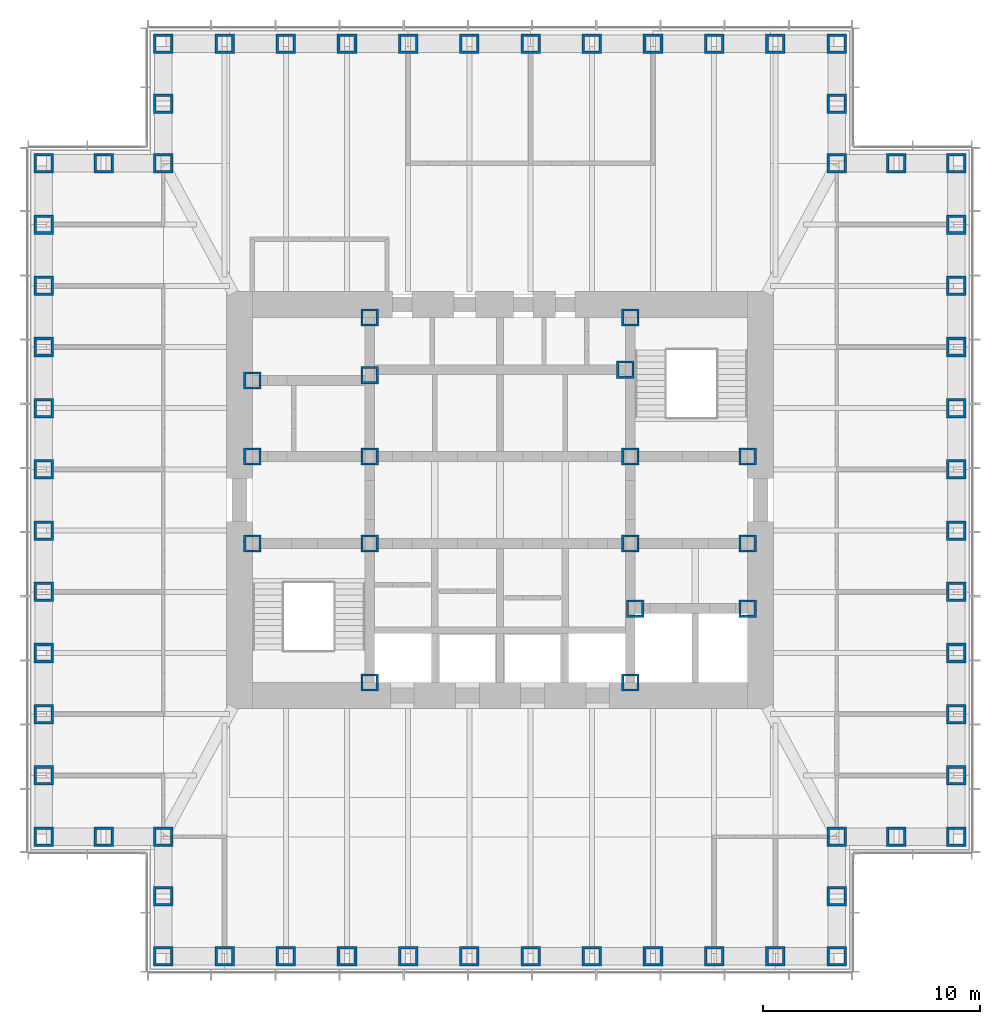
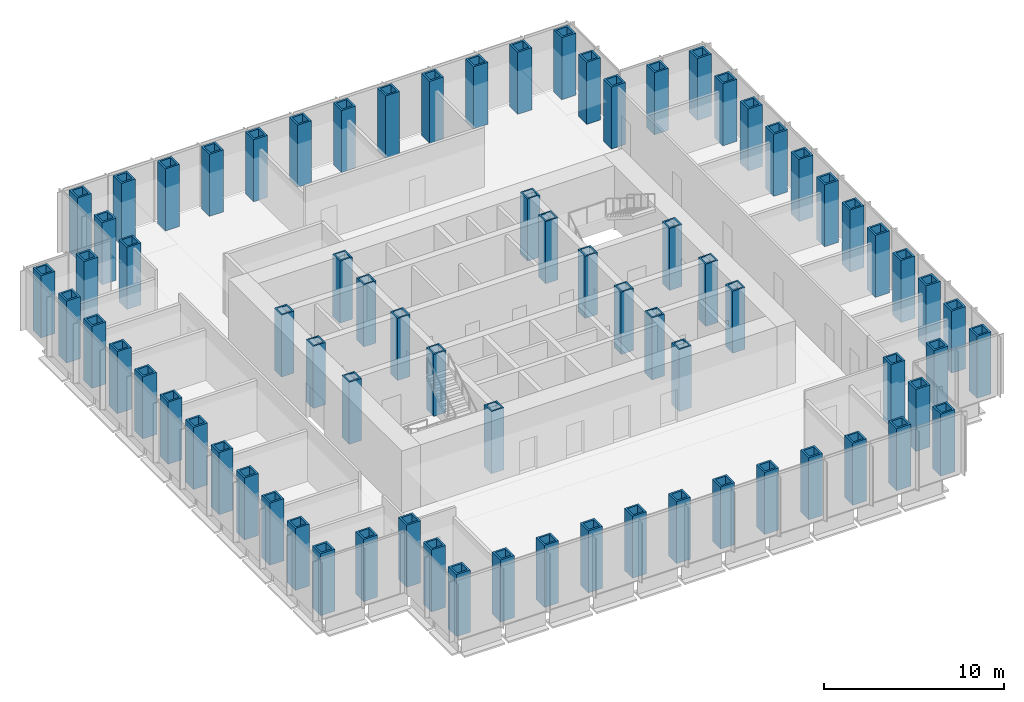
# One storey, part 1 of 17: 77 columns.
"""IFC4 building model written with IfcOpenShell, lengths in metres."""

from ifc_helpers import new_model, si_unit, direction, frame, origin, origin_2d, place, context, subcontext, project, spatial, hollow_rectangle, extrude, material, material_profile, profile_set, type_object, element, save


model = new_model("IFC4")

# Units and contexts
model_context = context("Model", 3, precision=1e-05, world=origin(), true_north=direction((0.0, 1.0)))
body_context = subcontext(model_context, "Body", "Model", "MODEL_VIEW")
ifc_project = project(units=[si_unit("LENGTHUNIT", "METRE"), si_unit("AREAUNIT", "SQUARE_METRE"), si_unit("VOLUMEUNIT", "CUBIC_METRE"), si_unit("PLANEANGLEUNIT", "RADIAN"), si_unit("MASSUNIT", "GRAM", prefix="KILO")], contexts=[model_context])

# Site, building, storey
site_placement = place(None, origin())
site = spatial("IfcSite", under=ifc_project, at=site_placement, CompositionType="ELEMENT")
building_placement = place(site_placement, origin())
building = spatial("IfcBuilding", under=site, at=building_placement, Name="Daluyong Arena Tower", CompositionType="ELEMENT")
storey_placement = place(building_placement, frame((0.0, 0.0, 193.89990234375)))
storey = spatial("IfcBuildingStorey", under=building, at=storey_placement, Name="L43", CompositionType="ELEMENT", Elevation=193.89990234375)

# Columns
ifc_material_1 = material(Name="Steel ASTM A572 Grade 50", Category="steel")
ifc_material_profile_1 = material_profile(ifc_material_1, hollow_rectangle(XDim=0.800048828125, YDim=0.800048828125, WallThickness=0.1, at=origin_2d()))
ifc_profile_set_1 = profile_set([ifc_material_profile_1], Name="Steel ASTM A572 Grade 50")
column_type_1 = type_object("IfcColumnType", Name="Core boundary column BX800X100", PredefinedType="COLUMN", material=ifc_profile_set_1)
for number, where, z_axis, x_axis, name in (
    (1, (44.60009765625, 78.0, 0.0), (0.0, 0.0, 1.0), (1.0, 0.0, 0.0), "core boundary column BC2"),
    (2, (44.60009765625, 82.0, 0.0), (0.0, 0.0, 1.0), (1.0, 0.0, 0.0), "core boundary column BC2"),
    (3, (44.60009765625, 85.5, 0.0), (0.0, 0.0, 1.0), (1.0, 0.0, 0.0), "core boundary column BC2"),
    (4, (50.0, 71.60009765625, 0.0), (0.0, 0.0, 1.0), (1.0, 0.0, 0.0), "core boundary column BC2"),
    (5, (50.0, 78.0, 0.0), (0.0, 0.0, 1.0), (1.0, 0.0, 0.0), "core boundary column BC2"),
    (6, (50.0, 82.0, 0.0), (0.0, 0.0, 1.0), (1.0, 0.0, 0.0), "core boundary column BC2"),
    (7, (50.0, 85.75, 0.0), (0.0, 0.0, 1.0), (1.0, 0.0, 0.0), "core boundary column BC2"),
    (8, (50.0, 88.39990234375, 0.0), (0.0, 0.0, 1.0), (1.0, 0.0, 0.0), "core boundary column BC2"),
    (9, (61.77490234375, 86.0, 0.0), (0.0, 0.0, 1.0), (1.0, 0.0, 0.0), "core boundary column BC2"),
    (10, (62.0, 71.60009765625, 0.0), (0.0, 0.0, 1.0), (1.0, 0.0, 0.0), "core boundary column BC2"),
    (11, (62.0, 78.0, 0.0), (0.0, 0.0, 1.0), (1.0, 0.0, 0.0), "core boundary column BC2"),
    (12, (62.0, 82.0, 0.0), (0.0, 0.0, 1.0), (1.0, 0.0, 0.0), "core boundary column BC2"),
    (13, (62.0, 88.39990234375, 0.0), (0.0, 0.0, 1.0), (1.0, 0.0, 0.0), "core boundary column BC2"),
    (14, (62.22509765625, 75.0, 0.0), (0.0, 0.0, 1.0), (1.0, 0.0, 0.0), "core boundary column BC2"),
    (15, (67.39990234375, 75.0, 0.0), (0.0, 0.0, 1.0), (1.0, 0.0, 0.0), "core boundary column BC2"),
    (16, (67.39990234375, 78.0, 0.0), (0.0, 0.0, 1.0), (1.0, 0.0, 0.0), "core boundary column BC2"),
    (17, (67.39990234375, 82.0, 0.0), (0.0, 0.0, 1.0), (1.0, 0.0, 0.0), "core boundary column BC2"),
):
    element("IfcColumn", number, at=place(storey_placement, frame(where, z_axis=z_axis, x_axis=x_axis)), inside=storey, type_object=column_type_1, Name=name, PredefinedType="COLUMN", context=body_context, shape_type="SweptSolid", body=[
        extrude(hollow_rectangle(XDim=0.800048828125, YDim=0.800048828125, WallThickness=0.1, at=origin_2d()), origin(), (0.0, 0.0, 1.0), 4.2001953125),
    ])
ifc_material_2 = material(Name="Steel ASTM A588 Grade 50", Category="steel")
ifc_material_profile_2 = material_profile(ifc_material_2, hollow_rectangle(XDim=0.89990234375, YDim=0.89990234375, WallThickness=0.12, at=origin_2d()))
ifc_profile_set_2 = profile_set([ifc_material_profile_2], Name="Steel ASTM A588 Grade 50")
column_type_2 = type_object("IfcColumnType", Name="Tube column BX900X120 BX900X120", PredefinedType="COLUMN", material=ifc_profile_set_2)
for number, where, z_axis, x_axis, name in (
    (18, (40.5, 59.0, 0.0), (0.0, 0.0, 1.0), (1.0, 0.0, 0.0), "tube column bx900x120 TC4"),
    (19, (43.318115234375, 59.0, 0.0), (0.0, 0.0, 1.0), (1.0, 0.0, 0.0), "tube column bx900x120 TC4"),
    (20, (46.136474609375, 59.0, 0.0), (0.0, 0.0, 1.0), (1.0, 0.0, 0.0), "tube column bx900x120 TC4"),
    (21, (48.95458984375, 59.0, 0.0), (0.0, 0.0, 1.0), (1.0, 0.0, 0.0), "tube column bx900x120 TC4"),
    (22, (51.772705078125, 59.0, 0.0), (0.0, 0.0, 1.0), (1.0, 0.0, 0.0), "tube column bx900x120 TC4"),
    (23, (54.5908203125, 59.0, 0.0), (0.0, 0.0, 1.0), (1.0, 0.0, 0.0), "tube column bx900x120 TC4"),
    (24, (57.4091796875, 59.0, 0.0), (0.0, 0.0, 1.0), (1.0, 0.0, 0.0), "tube column bx900x120 TC4"),
    (25, (60.227294921875, 59.0, 0.0), (0.0, 0.0, 1.0), (1.0, 0.0, 0.0), "tube column bx900x120 TC4"),
    (26, (63.04541015625, 59.0, 0.0), (0.0, 0.0, 1.0), (1.0, 0.0, 0.0), "tube column bx900x120 TC4"),
    (27, (65.863525390625, 59.0, 0.0), (0.0, 0.0, 1.0), (1.0, 0.0, 0.0), "tube column bx900x120 TC4"),
    (28, (68.681884765625, 59.0, 0.0), (0.0, 0.0, 1.0), (1.0, 0.0, 0.0), "tube column bx900x120 TC4"),
    (29, (71.5, 59.0, 0.0), (0.0, 0.0, 1.0), (0.0, 1.0, 0.0), "tube column bx900x120 TC4"),
    (30, (71.5, 61.75, 0.0), (0.0, 0.0, 1.0), (0.0, 1.0, 0.0), "tube column bx900x120 TC4"),
    (31, (71.5, 64.5, 0.0), (0.0, 0.0, 1.0), (1.0, 0.0, 0.0), "tube column bx900x120 TC4"),
    (32, (74.25, 64.5, 0.0), (0.0, 0.0, 1.0), (1.0, 0.0, 0.0), "tube column bx900x120 TC4"),
    (33, (77.0, 64.5, 0.0), (0.0, 0.0, 1.0), (0.0, 1.0, 0.0), "tube column bx900x120 TC4"),
    (34, (77.0, 67.318115234375, 0.0), (0.0, 0.0, 1.0), (0.0, 1.0, 0.0), "tube column bx900x120 TC4"),
    (35, (77.0, 70.136474609375, 0.0), (0.0, 0.0, 1.0), (0.0, 1.0, 0.0), "tube column bx900x120 TC4"),
    (36, (77.0, 72.95458984375, 0.0), (0.0, 0.0, 1.0), (0.0, 1.0, 0.0), "tube column bx900x120 TC4"),
    (37, (77.0, 75.772705078125, 0.0), (0.0, 0.0, 1.0), (0.0, 1.0, 0.0), "tube column bx900x120 TC4"),
    (38, (77.0, 78.5908203125, 0.0), (0.0, 0.0, 1.0), (0.0, 1.0, 0.0), "tube column bx900x120 TC4"),
    (39, (77.0, 81.4091796875, 0.0), (0.0, 0.0, 1.0), (0.0, 1.0, 0.0), "tube column bx900x120 TC4"),
    (40, (77.0, 84.227294921875, 0.0), (0.0, 0.0, 1.0), (0.0, 1.0, 0.0), "tube column bx900x120 TC4"),
    (41, (77.0, 87.04541015625, 0.0), (0.0, 0.0, 1.0), (0.0, 1.0, 0.0), "tube column bx900x120 TC4"),
    (42, (77.0, 89.863525390625, 0.0), (0.0, 0.0, 1.0), (0.0, 1.0, 0.0), "tube column bx900x120 TC4"),
    (43, (77.0, 92.681884765625, 0.0), (0.0, 0.0, 1.0), (0.0, 1.0, 0.0), "tube column bx900x120 TC4"),
    (44, (77.0, 95.5, 0.0), (0.0, 0.0, 1.0), (1.0, 0.0, 0.0), "tube column bx900x120 TC4"),
    (45, (74.25, 95.5, 0.0), (0.0, 0.0, 1.0), (1.0, 0.0, 0.0), "tube column bx900x120 TC4"),
    (46, (71.5, 95.5, 0.0), (0.0, 0.0, 1.0), (0.0, 1.0, 0.0), "tube column bx900x120 TC4"),
    (47, (71.5, 98.25, 0.0), (0.0, 0.0, 1.0), (0.0, 1.0, 0.0), "tube column bx900x120 TC4"),
    (48, (71.5, 101.0, 0.0), (0.0, 0.0, 1.0), (1.0, 0.0, 0.0), "tube column bx900x120 TC4"),
    (49, (68.681884765625, 101.0, 0.0), (0.0, 0.0, 1.0), (1.0, 0.0, 0.0), "tube column bx900x120 TC4"),
    (50, (65.863525390625, 101.0, 0.0), (0.0, 0.0, 1.0), (1.0, 0.0, 0.0), "tube column bx900x120 TC4"),
    (51, (63.04541015625, 101.0, 0.0), (0.0, 0.0, 1.0), (1.0, 0.0, 0.0), "tube column bx900x120 TC4"),
    (52, (60.227294921875, 101.0, 0.0), (0.0, 0.0, 1.0), (1.0, 0.0, 0.0), "tube column bx900x120 TC4"),
    (53, (57.4091796875, 101.0, 0.0), (0.0, 0.0, 1.0), (1.0, 0.0, 0.0), "tube column bx900x120 TC4"),
    (54, (54.5908203125, 101.0, 0.0), (0.0, 0.0, 1.0), (1.0, 0.0, 0.0), "tube column bx900x120 TC4"),
    (55, (51.772705078125, 101.0, 0.0), (0.0, 0.0, 1.0), (1.0, 0.0, 0.0), "tube column bx900x120 TC4"),
    (56, (48.95458984375, 101.0, 0.0), (0.0, 0.0, 1.0), (1.0, 0.0, 0.0), "tube column bx900x120 TC4"),
    (57, (46.136474609375, 101.0, 0.0), (0.0, 0.0, 1.0), (1.0, 0.0, 0.0), "tube column bx900x120 TC4"),
    (58, (43.318115234375, 101.0, 0.0), (0.0, 0.0, 1.0), (1.0, 0.0, 0.0), "tube column bx900x120 TC4"),
    (59, (40.5, 101.0, 0.0), (0.0, 0.0, 1.0), (0.0, 1.0, 0.0), "tube column bx900x120 TC4"),
    (60, (40.5, 98.25, 0.0), (0.0, 0.0, 1.0), (0.0, 1.0, 0.0), "tube column bx900x120 TC4"),
    (61, (40.5, 95.5, 0.0), (0.0, 0.0, 1.0), (1.0, 0.0, 0.0), "tube column bx900x120 TC4"),
    (62, (37.75, 95.5, 0.0), (0.0, 0.0, 1.0), (1.0, 0.0, 0.0), "tube column bx900x120 TC4"),
    (63, (35.0, 95.5, 0.0), (0.0, 0.0, 1.0), (0.0, 1.0, 0.0), "tube column bx900x120 TC4"),
    (64, (35.0, 92.681884765625, 0.0), (0.0, 0.0, 1.0), (0.0, 1.0, 0.0), "tube column bx900x120 TC4"),
    (65, (35.0, 89.863525390625, 0.0), (0.0, 0.0, 1.0), (0.0, 1.0, 0.0), "tube column bx900x120 TC4"),
    (66, (35.0, 87.04541015625, 0.0), (0.0, 0.0, 1.0), (0.0, 1.0, 0.0), "tube column bx900x120 TC4"),
    (67, (35.0, 84.227294921875, 0.0), (0.0, 0.0, 1.0), (0.0, 1.0, 0.0), "tube column bx900x120 TC4"),
    (68, (35.0, 81.4091796875, 0.0), (0.0, 0.0, 1.0), (0.0, 1.0, 0.0), "tube column bx900x120 TC4"),
    (69, (35.0, 78.5908203125, 0.0), (0.0, 0.0, 1.0), (0.0, 1.0, 0.0), "tube column bx900x120 TC4"),
    (70, (35.0, 75.772705078125, 0.0), (0.0, 0.0, 1.0), (0.0, 1.0, 0.0), "tube column bx900x120 TC4"),
    (71, (35.0, 72.95458984375, 0.0), (0.0, 0.0, 1.0), (0.0, 1.0, 0.0), "tube column bx900x120 TC4"),
    (72, (35.0, 70.136474609375, 0.0), (0.0, 0.0, 1.0), (0.0, 1.0, 0.0), "tube column bx900x120 TC4"),
    (73, (35.0, 67.318115234375, 0.0), (0.0, 0.0, 1.0), (0.0, 1.0, 0.0), "tube column bx900x120 TC4"),
    (74, (35.0, 64.5, 0.0), (0.0, 0.0, 1.0), (1.0, 0.0, 0.0), "tube column bx900x120 TC4"),
    (75, (37.75, 64.5, 0.0), (0.0, 0.0, 1.0), (1.0, 0.0, 0.0), "tube column bx900x120 TC4"),
    (76, (40.5, 64.5, 0.0), (0.0, 0.0, 1.0), (0.0, 1.0, 0.0), "tube column bx900x120 TC4"),
    (77, (40.5, 61.75, 0.0), (0.0, 0.0, 1.0), (0.0, 1.0, 0.0), "tube column bx900x120 TC4"),
):
    element("IfcColumn", number, at=place(storey_placement, frame(where, z_axis=z_axis, x_axis=x_axis)), inside=storey, type_object=column_type_2, Name=name, PredefinedType="COLUMN", context=body_context, shape_type="SweptSolid", body=[
        extrude(hollow_rectangle(XDim=0.89990234375, YDim=0.89990234375, WallThickness=0.12, at=origin_2d()), origin(), (0.0, 0.0, 1.0), 4.2001953125),
    ])

save(model, "model.ifc")
